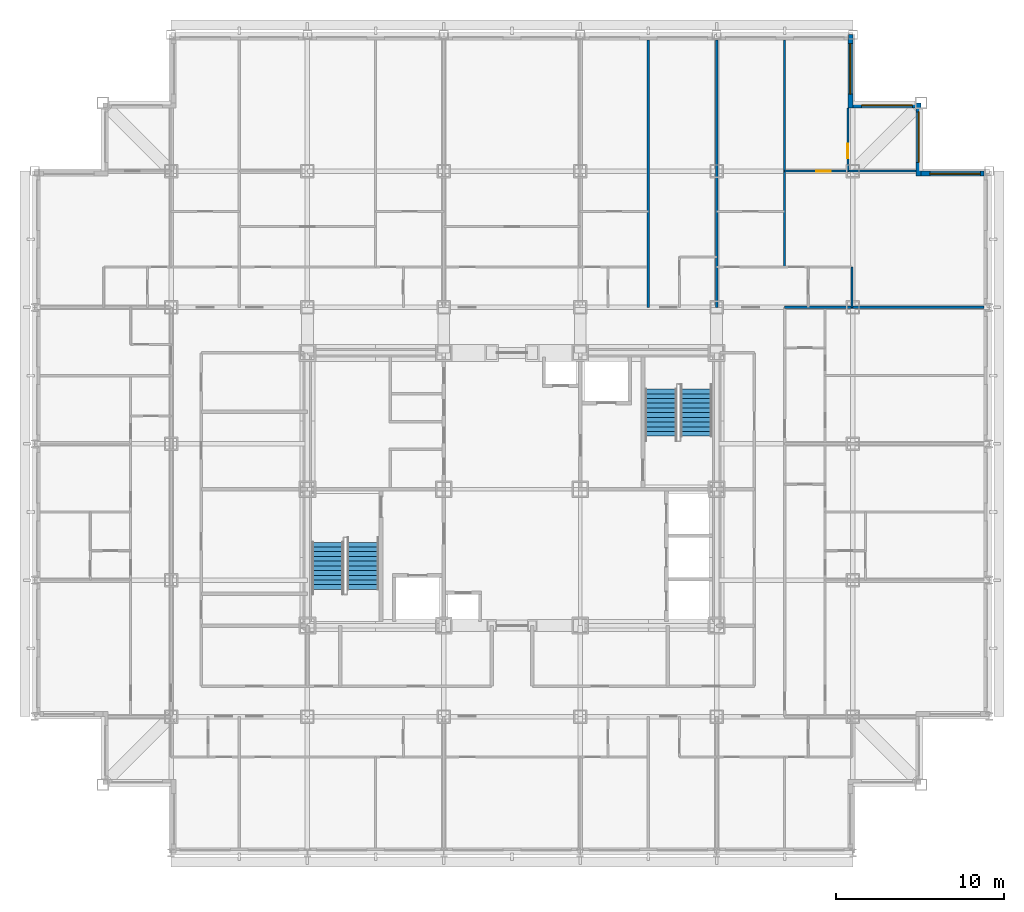
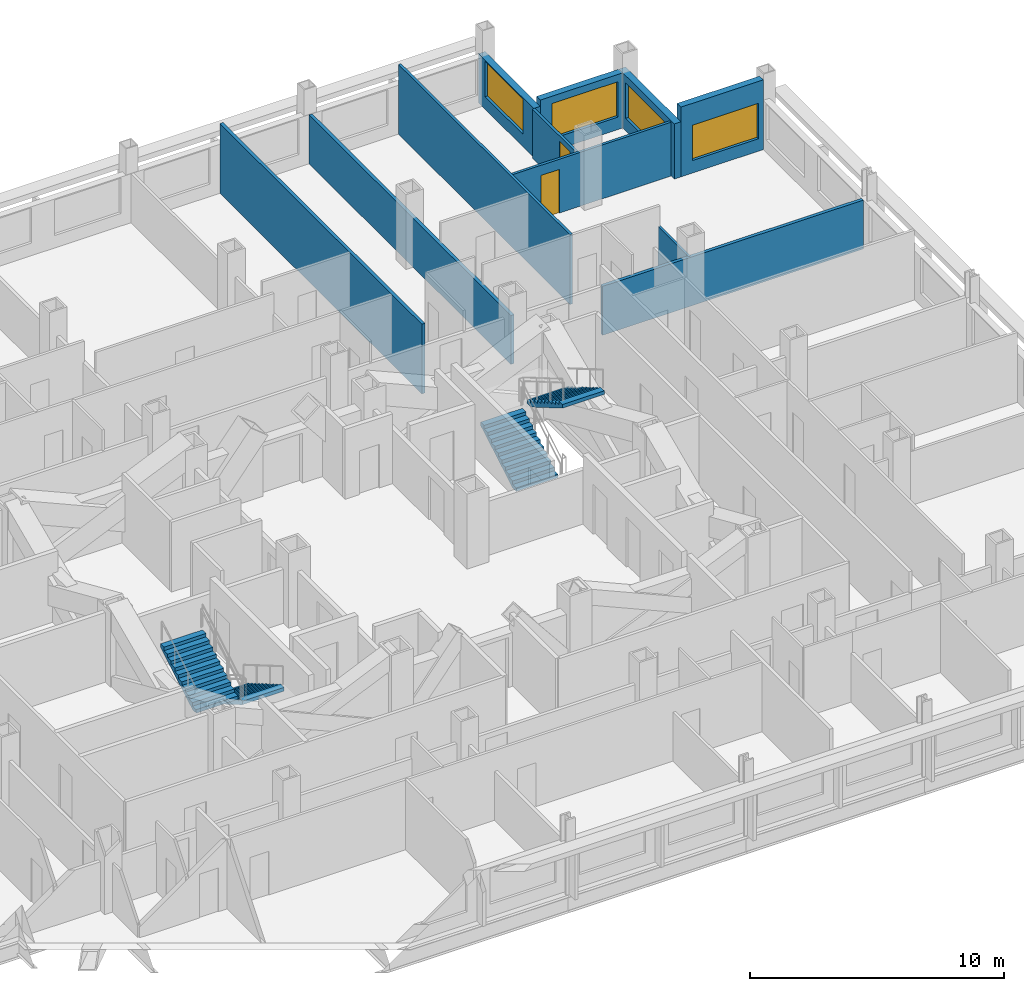
# One storey, part 11 of 12: 11 walls, 4 stair flights, 4 windows, 2 doors, 6 openings, 2 elements without a shape of their own.
"""IFC4 building model written with IfcOpenShell, lengths in metres."""

from ifc_helpers import new_model, si_unit, direction, frame, frame_2d, origin, place, context, subcontext, project, spatial, rectangle, extrude, polygons, source, transform, mapped, material, layer, layer_set, type_object, element, fill, aggregate, save


model = new_model("IFC4")

# Units and contexts
model_context = context("Model", 3, precision=1e-05, world=origin(), true_north=direction((0.0, 1.0)))
body_context = subcontext(model_context, "Body", "Model", "MODEL_VIEW")
ifc_project = project(units=[si_unit("LENGTHUNIT", "METRE"), si_unit("AREAUNIT", "SQUARE_METRE"), si_unit("VOLUMEUNIT", "CUBIC_METRE"), si_unit("PLANEANGLEUNIT", "RADIAN"), si_unit("MASSUNIT", "GRAM", prefix="KILO")], contexts=[model_context])

# Site, building, storey
site_placement = place(None, origin())
site = spatial("IfcSite", under=ifc_project, at=site_placement, CompositionType="ELEMENT")
building_placement = place(site_placement, origin())
building = spatial("IfcBuilding", under=site, at=building_placement, Name="Kopane Lantern Tower", CompositionType="ELEMENT")
storey_placement = place(building_placement, frame((0.0, 0.0, 231.60009765625)))
storey = spatial("IfcBuildingStorey", under=building, at=storey_placement, Name="L60", CompositionType="ELEMENT", Elevation=231.60009765625)

# Wall
ifc_material_1 = material(Name="Gypsum board on steel studs", Category="steel")
ifc_layer_1 = layer(ifc_material_1, 0.1201171875)
ifc_layer_set_1 = layer_set([ifc_layer_1], Name="APARTMENT INTERNAL WALL 120")
wall_type_1 = type_object("IfcWallType", Name="APARTMENT INTERNAL WALL 120", PredefinedType="PARTITIONING", material=ifc_layer_set_1)
wall_1_placement = place(storey_placement, frame((44.550048828125, 45.60009765625, 0.0), z_axis=(0.0, 0.0, 1.0), x_axis=(0.0, 1.0, 0.0)))
element("IfcWall", 1, at=wall_1_placement, inside=storey, type_object=wall_type_1, Name="Apartment Internal Wall 120 L60", PredefinedType="PARTITIONING", context=body_context, shape_type="SweptSolid", body=[
    extrude(rectangle(XDim=13.5, YDim=0.1201171875, at=frame_2d((6.75, 0.0))), origin(), (0.0, 0.0, 1.0), 3.349853515625),
])

# Wall, opening, door
wall_2_placement = place(storey_placement, frame((44.550048828125, 51.300048828125, 0.0), z_axis=(0.0, 0.0, 1.0), x_axis=(1.0, 0.0, 0.0)))
wall_2 = element("IfcWall", 2, at=wall_2_placement, inside=storey, type_object=wall_type_1, Name="Apartment Internal Wall 120 L60", PredefinedType="PARTITIONING", context=body_context, shape_type="SweptSolid", body=[
    extrude(rectangle(XDim=7.800048828125, YDim=0.1201171875, at=frame_2d((3.89990234375, 0.0))), origin(), (0.0, 0.0, 1.0), 2.587646484375),
])
opening_1_placement = place(wall_2_placement, frame((1.875, 0.0, 0.0)))
opening_1 = element("IfcOpeningElement", 3, at=opening_1_placement, cuts=wall_2, Name="Opening L60-062", PredefinedType="OPENING", context=body_context, shape_type="SweptSolid", body=[
    extrude(rectangle(XDim=0.85009765625, YDim=2.10009765625, at=frame_2d((0.425048828125, 1.050048828125))), frame((0.0, 0.070068359375, 0.0), z_axis=(0.0, -1.0, 0.0), x_axis=(1.0, 0.0, 0.0)), (0.0, 0.0, 1.0), 0.14013671875),
])
ifc_material_2 = material(Name="Timber door set", Category="wood")
door_type = type_object("IfcDoorType", Name="DOOR D4 850x2100", OperationType="SINGLE_SWING_LEFT", PredefinedType="DOOR", material=ifc_material_2)
door_1_placement = place(opening_1_placement, origin())
door_1 = element("IfcDoor", 4, at=door_1_placement, inside=storey, type_object=door_type, Name="Door L60-062", OperationType="SINGLE_SWING_RIGHT", OverallHeight=2.10009765625, OverallWidth=0.85009765625, PredefinedType="DOOR", context=body_context, shape_type="SweptSolid", body=[
    extrude(rectangle(XDim=0.85009765625, YDim=2.10009765625, at=frame_2d((0.425048828125, 1.050048828125))), frame((0.0, 0.02490234375, 0.0), z_axis=(0.0, -1.0, 0.0), x_axis=(1.0, 0.0, 0.0)), (0.0, 0.0, 1.0), 0.050048828125),
])
fill(opening_1, door_1)

wall_3_placement = place(storey_placement, frame((48.300048828125, 51.300048828125, 0.0), z_axis=(0.0, 0.0, 1.0), x_axis=(0.0, 1.0, 0.0)))
wall_3 = element("IfcWall", 5, at=wall_3_placement, inside=storey, type_object=wall_type_1, Name="Apartment Internal Wall 120 L60", PredefinedType="PARTITIONING", context=body_context, shape_type="SweptSolid", body=[
    extrude(rectangle(XDim=3.75, YDim=0.1201171875, at=frame_2d((1.875, 0.0))), origin(), (0.0, 0.0, 1.0), 2.349853515625),
])
opening_2_placement = place(wall_3_placement, frame((0.77490234375, 0.0, 0.0)))
opening_2 = element("IfcOpeningElement", 6, at=opening_2_placement, cuts=wall_3, Name="Opening L60-070", PredefinedType="OPENING", context=body_context, shape_type="SweptSolid", body=[
    extrude(rectangle(XDim=0.85009765625, YDim=2.10009765625, at=frame_2d((0.425048828125, 1.050048828125))), frame((0.0, 0.070068359375, 0.0), z_axis=(0.0, -1.0, 0.0), x_axis=(1.0, 0.0, 0.0)), (0.0, 0.0, 1.0), 0.14013671875),
])
door_2_placement = place(opening_2_placement, origin())
door_2 = element("IfcDoor", 7, at=door_2_placement, inside=storey, type_object=door_type, Name="Door L60-070", OperationType="SINGLE_SWING_RIGHT", OverallHeight=2.10009765625, OverallWidth=0.85009765625, PredefinedType="DOOR", context=body_context, shape_type="SweptSolid", body=[
    extrude(rectangle(XDim=0.85009765625, YDim=2.10009765625, at=frame_2d((0.425048828125, 1.050048828125))), frame((0.0, 0.02490234375, 0.0), z_axis=(0.0, -1.0, 0.0), x_axis=(1.0, 0.0, 0.0)), (0.0, 0.0, 1.0), 0.050048828125),
])
fill(opening_2, door_2)

# Walls
ifc_material_3 = material(Name="Moisture-resistant board on steel studs", Category="steel")
ifc_layer_2 = layer(ifc_material_3, 0.10009765625)
ifc_layer_set_2 = layer_set([ifc_layer_2], Name="BATHROOM WALL 100")
wall_type_2 = type_object("IfcWallType", Name="BATHROOM WALL 100", PredefinedType="PARTITIONING", material=ifc_layer_set_2)
wall_4_placement = place(storey_placement, frame((48.550048828125, 43.199951171875, 0.0), z_axis=(0.0, 0.0, 1.0), x_axis=(0.0, 1.0, 0.0)))
element("IfcWall", 8, at=wall_4_placement, inside=storey, type_object=wall_type_2, Name="Bathroom Wall 100 L60", PredefinedType="PARTITIONING", context=body_context, shape_type="SweptSolid", body=[
    extrude(rectangle(XDim=2.400146484375, YDim=0.10009765625, at=frame_2d((1.2001953125, 0.0))), origin(), (0.0, 0.0, 1.0), 2.349853515625),
])
ifc_material_4 = material(Name="Gypsum board on steel studs", Category="steel")
ifc_layer_3 = layer(ifc_material_4, 0.14990234375)
ifc_layer_set_3 = layer_set([ifc_layer_3], Name="DEMISING WALL 150 EI 60")
wall_type_3 = type_object("IfcWallType", Name="DEMISING WALL 150 EI 60", PredefinedType="PARTITIONING", material=ifc_layer_set_3)
wall_5_placement = place(storey_placement, frame((36.449951171875, 43.199951171875, 0.0), z_axis=(0.0, 0.0, 1.0), x_axis=(0.0, 1.0, 0.0)))
element("IfcWall", 9, at=wall_5_placement, inside=storey, type_object=wall_type_3, Name="Demising Wall 150 Ei 60 L60", PredefinedType="PARTITIONING", context=body_context, shape_type="SweptSolid", body=[
    extrude(rectangle(XDim=15.900146484375, YDim=0.14990234375, at=frame_2d((7.9501953125, 0.0))), origin(), (0.0, 0.0, 1.0), 3.349853515625),
])
wall_6_placement = place(storey_placement, frame((44.550048828125, 43.199951171875, 0.0), z_axis=(0.0, 0.0, 1.0), x_axis=(1.0, 0.0, 0.0)))
element("IfcWall", 10, at=wall_6_placement, inside=storey, type_object=wall_type_3, Name="Demising Wall 150 Ei 60 L60", PredefinedType="PARTITIONING", context=body_context, shape_type="SweptSolid", body=[
    extrude(rectangle(XDim=11.849853515625, YDim=0.14990234375, at=frame_2d((5.9248046875, 0.0))), origin(), (0.0, 0.0, 1.0), 2.349853515625),
])
wall_7_placement = place(storey_placement, frame((40.5, 43.199951171875, 0.0), z_axis=(0.0, 0.0, 1.0), x_axis=(0.0, 1.0, 0.0)))
element("IfcWall", 11, at=wall_7_placement, inside=storey, type_object=wall_type_3, Name="Demising Wall 150 Ei 60 L60", PredefinedType="PARTITIONING", context=body_context, shape_type="SweptSolid", body=[
    extrude(rectangle(XDim=15.900146484375, YDim=0.14990234375, at=frame_2d((7.9501953125, 0.0))), origin(), (0.0, 0.0, 1.0), 2.349853515625),
])

# Wall, opening, window
ifc_material_5 = material(Name="Terracotta rainscreen on light steel framing", Category="masonry")
ifc_layer_4 = layer(ifc_material_5, 0.300048828125)
ifc_layer_set_4 = layer_set([ifc_layer_4], Name="EXTERNAL WALL EW1 300 TERRACOTTA")
wall_type_4 = type_object("IfcWallType", Name="EXTERNAL WALL EW1 300 TERRACOTTA", PredefinedType="SOLIDWALL", material=ifc_layer_set_4)
wall_8_placement = place(storey_placement, frame((56.39990234375, 51.14990234375, 0.0), z_axis=(0.0, 0.0, 1.0), x_axis=(-1.0, 0.0, 0.0)))
wall_8 = element("IfcWall", 12, at=wall_8_placement, inside=storey, type_object=wall_type_4, Name="External wall N L60", PredefinedType="SOLIDWALL", context=body_context, shape_type="SweptSolid", body=[
    extrude(rectangle(XDim=3.75, YDim=0.300048828125, at=frame_2d((1.875, 0.0))), origin(), (0.0, 0.0, 1.0), 3.349853515625),
])
opening_3_placement = place(wall_8_placement, frame((0.22509765625, 0.0, 0.60009765625)))
opening_3 = element("IfcOpeningElement", 13, at=opening_3_placement, cuts=wall_8, Name="Opening WR300170", PredefinedType="OPENING", context=body_context, shape_type="SweptSolid", body=[
    extrude(rectangle(XDim=3.0, YDim=1.699951171875, at=frame_2d((1.5, 0.85009765625))), frame((0.0, 0.159912109375, 0.0), z_axis=(0.0, -1.0, 0.0), x_axis=(1.0, 0.0, 0.0)), (0.0, 0.0, 1.0), 0.320068359375),
])
ifc_material_6 = material(Name="Aluminium and clear glass", Category="aluminium")
window_type = type_object("IfcWindowType", Name="RIBBON WINDOW WR300170 3000x1700", PartitioningType="SINGLE_PANEL", PredefinedType="WINDOW", material=ifc_material_6)
window_1_placement = place(opening_3_placement, origin())
window_1 = element("IfcWindow", 14, at=window_1_placement, inside=storey, type_object=window_type, Name="Window N L60", OverallHeight=1.699951171875, OverallWidth=3.0, PartitioningType="SINGLE_PANEL", PredefinedType="WINDOW", context=body_context, shape_type="SweptSolid", body=[
    extrude(rectangle(XDim=3.0, YDim=1.699951171875, at=frame_2d((1.5, 0.85009765625))), frame((0.0, 0.030029296875, 0.0), z_axis=(0.0, -1.0, 0.0), x_axis=(1.0, 0.0, 0.0)), (0.0, 0.0, 1.0), 0.06005859375),
])
fill(opening_3, window_1)

wall_9_placement = place(storey_placement, frame((52.5, 51.0, 0.0), z_axis=(0.0, 0.0, 1.0), x_axis=(0.0, 1.0, 0.0)))
wall_9 = element("IfcWall", 15, at=wall_9_placement, inside=storey, type_object=wall_type_4, Name="External wall E L60", PredefinedType="SOLIDWALL", context=body_context, shape_type="SweptSolid", body=[
    extrude(rectangle(XDim=4.35009765625, YDim=0.300048828125, at=frame_2d((2.175048828125, 0.0))), origin(), (0.0, 0.0, 1.0), 2.64990234375),
])
opening_4_placement = place(wall_9_placement, frame((0.824951171875, 0.0, 0.60009765625)))
opening_4 = element("IfcOpeningElement", 16, at=opening_4_placement, cuts=wall_9, Name="Opening WR300170", PredefinedType="OPENING", context=body_context, shape_type="SweptSolid", body=[
    extrude(rectangle(XDim=3.0, YDim=1.699951171875, at=frame_2d((1.5, 0.85009765625))), frame((0.0, 0.159912109375, 0.0), z_axis=(0.0, -1.0, 0.0), x_axis=(1.0, 0.0, 0.0)), (0.0, 0.0, 1.0), 0.320068359375),
])
window_2_placement = place(opening_4_placement, origin())
window_2 = element("IfcWindow", 17, at=window_2_placement, inside=storey, type_object=window_type, Name="Window E L60", OverallHeight=1.699951171875, OverallWidth=3.0, PartitioningType="SINGLE_PANEL", PredefinedType="WINDOW", context=body_context, shape_type="SweptSolid", body=[
    extrude(rectangle(XDim=3.0, YDim=1.699951171875, at=frame_2d((1.5, 0.85009765625))), frame((0.0, 0.030029296875, 0.0), z_axis=(0.0, -1.0, 0.0), x_axis=(1.0, 0.0, 0.0)), (0.0, 0.0, 1.0), 0.06005859375),
])
fill(opening_4, window_2)

wall_10_placement = place(storey_placement, frame((52.35009765625, 55.199951171875, 0.0), z_axis=(0.0, 0.0, 1.0), x_axis=(-1.0, 0.0, 0.0)))
wall_10 = element("IfcWall", 18, at=wall_10_placement, inside=storey, type_object=wall_type_4, Name="External wall N L60", PredefinedType="SOLIDWALL", context=body_context, shape_type="SweptSolid", body=[
    extrude(rectangle(XDim=3.75, YDim=0.300048828125, at=frame_2d((1.875, 0.0))), origin(), (0.0, 0.0, 1.0), 2.64990234375),
])
opening_5_placement = place(wall_10_placement, frame((0.22509765625, 0.0, 0.60009765625)))
opening_5 = element("IfcOpeningElement", 19, at=opening_5_placement, cuts=wall_10, Name="Opening WR300170", PredefinedType="OPENING", context=body_context, shape_type="SweptSolid", body=[
    extrude(rectangle(XDim=3.0, YDim=1.699951171875, at=frame_2d((1.5, 0.85009765625))), frame((0.0, 0.159912109375, 0.0), z_axis=(0.0, -1.0, 0.0), x_axis=(1.0, 0.0, 0.0)), (0.0, 0.0, 1.0), 0.320068359375),
])
window_3_placement = place(opening_5_placement, origin())
window_3 = element("IfcWindow", 20, at=window_3_placement, inside=storey, type_object=window_type, Name="Window N L60", OverallHeight=1.699951171875, OverallWidth=3.0, PartitioningType="SINGLE_PANEL", PredefinedType="WINDOW", context=body_context, shape_type="SweptSolid", body=[
    extrude(rectangle(XDim=3.0, YDim=1.699951171875, at=frame_2d((1.5, 0.85009765625))), frame((0.0, 0.030029296875, 0.0), z_axis=(0.0, -1.0, 0.0), x_axis=(1.0, 0.0, 0.0)), (0.0, 0.0, 1.0), 0.06005859375),
])
fill(opening_5, window_3)

wall_11_placement = place(storey_placement, frame((48.449951171875, 55.050048828125, 0.0), z_axis=(0.0, 0.0, 1.0), x_axis=(0.0, 1.0, 0.0)))
wall_11 = element("IfcWall", 21, at=wall_11_placement, inside=storey, type_object=wall_type_4, Name="External wall E L60", PredefinedType="SOLIDWALL", context=body_context, shape_type="SweptSolid", body=[
    extrude(rectangle(XDim=4.349853515625, YDim=0.300048828125, at=frame_2d((2.1748046875, 0.0))), origin(), (0.0, 0.0, 1.0), 2.349853515625),
])
opening_6_placement = place(wall_11_placement, frame((0.824951171875, 0.0, 0.60009765625)))
opening_6 = element("IfcOpeningElement", 22, at=opening_6_placement, cuts=wall_11, Name="Opening WR300170", PredefinedType="OPENING", context=body_context, shape_type="SweptSolid", body=[
    extrude(rectangle(XDim=3.0, YDim=1.699951171875, at=frame_2d((1.5, 0.85009765625))), frame((0.0, 0.159912109375, 0.0), z_axis=(0.0, -1.0, 0.0), x_axis=(1.0, 0.0, 0.0)), (0.0, 0.0, 1.0), 0.320068359375),
])
window_4_placement = place(opening_6_placement, origin())
window_4 = element("IfcWindow", 23, at=window_4_placement, inside=storey, type_object=window_type, Name="Window E L60", OverallHeight=1.699951171875, OverallWidth=3.0, PartitioningType="SINGLE_PANEL", PredefinedType="WINDOW", context=body_context, shape_type="SweptSolid", body=[
    extrude(rectangle(XDim=3.0, YDim=1.699951171875, at=frame_2d((1.5, 0.85009765625))), frame((0.0, 0.030029296875, 0.0), z_axis=(0.0, -1.0, 0.0), x_axis=(1.0, 0.0, 0.0)), (0.0, 0.0, 1.0), 0.06005859375),
])
fill(opening_6, window_4)

# Stair, stair flights
ifc_material_7 = material(Name="Steel S355JR", Category="steel")
stair_type = type_object("IfcStairType", Name="EXIT STAIR 1900 HALF TURN", PredefinedType="HALF_TURN_STAIR", material=ifc_material_7)
stair_1_placement = place(storey_placement, origin())
stair_1 = element("IfcStair", 24, at=stair_1_placement, inside=storey, type_object=stair_type, Name="Exit stair ST1 L60", PredefinedType="HALF_TURN_STAIR")
ifc_material_8 = material(Name="Steel S355JR", Category="steel")
stair_flight_type = type_object("IfcStairFlightType", Name="STAIR FLIGHT 1900 STEEL", PredefinedType="STRAIGHT", material=ifc_material_8)
shared_shape = source(origin(), body_context, "Body", "Tessellation", [
    polygons([(2.800048828, 0.949951172, 1.636474609), (2.520019531, 0.949951172, 1.636474609), (2.520019531, -0.949951172, 1.636474609), (2.800048828, -0.949951172, 1.636474609), (0.297119141, 0.949951172, 0.0), (2.800048828, 0.949951172, 1.462646484), (2.800048828, -0.949951172, 1.462646484), (0.297119141, -0.949951172, 0.0), (0.0, 0.949951172, 0.0), (0.0, -0.949951172, 0.0), (0.280029297, 0.949951172, 0.163574219), (0.0, 0.949951172, 0.163574219), (0.0, -0.949951172, 0.163574219), (0.280029297, -0.949951172, 0.163574219), (0.280029297, 0.949951172, 0.327392578), (0.280029297, -0.949951172, 0.327392578), (0.560058594, 0.949951172, 0.327392578), (0.560058594, -0.949951172, 0.327392578), (0.560058594, 0.949951172, 0.490966797), (0.560058594, -0.949951172, 0.490966797), (0.840087891, 0.949951172, 0.490966797), (0.840087891, -0.949951172, 0.490966797), (0.840087891, 0.949951172, 0.654541016), (0.840087891, -0.949951172, 0.654541016), (1.120117188, 0.949951172, 0.654541016), (1.120117188, -0.949951172, 0.654541016), (1.120117188, 0.949951172, 0.818115234), (1.120117188, -0.949951172, 0.818115234), (1.399902344, 0.949951172, 0.818115234), (1.399902344, -0.949951172, 0.818115234), (1.399902344, 0.949951172, 0.981933594), (1.399902344, -0.949951172, 0.981933594), (1.679931641, 0.949951172, 0.981933594), (1.679931641, -0.949951172, 0.981933594), (1.679931641, 0.949951172, 1.145507812), (1.679931641, -0.949951172, 1.145507812), (1.959960938, 0.949951172, 1.145507812), (1.959960938, -0.949951172, 1.145507812), (1.959960938, 0.949951172, 1.309082031), (1.959960938, -0.949951172, 1.309082031), (2.239990234, 0.949951172, 1.309082031), (2.239990234, -0.949951172, 1.309082031), (2.239990234, 0.949951172, 1.47265625), (2.239990234, -0.949951172, 1.47265625), (2.520019531, 0.949951172, 1.47265625), (2.520019531, -0.949951172, 1.47265625), (0.0, 0.0, 0.004420925), (0.0, 0.0, 0.00884185), (0.0, 0.0, 0.013262774), (0.0, 0.0, 0.017683699), (0.0, 0.0, 0.022104624), (0.0, 0.0, 0.026525549), (0.0, 0.0, 0.030946474), (0.0, 0.0, 0.035367399), (0.0, 0.0, 0.039788323), (0.0, 0.0, 0.044209248), (0.0, 0.0, 0.048630173), (0.0, 0.0, 0.053051098), (0.0, 0.0, 0.057472023), (0.0, 0.0, 0.061892948), (0.0, 0.0, 0.066313872), (0.0, 0.0, 0.070734797), (0.0, 0.0, 0.075155722), (0.0, 0.0, 0.079576647), (0.0, 0.0, 0.083997572), (0.0, 0.0, 0.088418497), (0.0, 0.0, 0.092839421), (0.0, 0.0, 0.097260346), (0.0, 0.0, 0.101681271), (0.0, 0.0, 0.106102196), (0.0, 0.0, 0.110523121), (0.0, 0.0, 0.114944046), (0.0, 0.0, 0.11936497), (0.0, 0.0, 0.123785895), (0.0, 0.0, 0.12820682), (0.0, 0.0, 0.132627745), (0.0, 0.0, 0.13704867), (0.0, 0.0, 0.141469595), (0.0, 0.0, 0.145890519), (0.0, 0.0, 0.150311444), (0.0, 0.0, 0.154732369), (0.0, 0.0, 0.159153294), (2.800048828, 0.0, 1.467344542), (2.800048828, 0.0, 1.472042599), (2.800048828, 0.0, 1.476740657), (2.800048828, 0.0, 1.481438714), (2.800048828, 0.0, 1.486136772), (2.800048828, 0.0, 1.490834829), (2.800048828, 0.0, 1.495532886), (2.800048828, 0.0, 1.500230944), (2.800048828, 0.0, 1.504929001), (2.800048828, 0.0, 1.509627059), (2.800048828, 0.0, 1.514325116), (2.800048828, 0.0, 1.519023174), (2.800048828, 0.0, 1.523721231), (2.800048828, 0.0, 1.528419288), (2.800048828, 0.0, 1.533117346), (2.800048828, 0.0, 1.537815403), (2.800048828, 0.0, 1.542513461), (2.800048828, 0.0, 1.547211518), (2.800048828, 0.0, 1.551909576), (2.800048828, 0.0, 1.556607633), (2.800048828, 0.0, 1.56130569), (2.800048828, 0.0, 1.566003748), (2.800048828, 0.0, 1.570701805), (2.800048828, 0.0, 1.575399863), (2.800048828, 0.0, 1.58009792), (2.800048828, 0.0, 1.584795978), (2.800048828, 0.0, 1.589494035), (2.800048828, 0.0, 1.594192092), (2.800048828, 0.0, 1.59889015), (2.800048828, 0.0, 1.603588207), (2.800048828, 0.0, 1.608286265), (2.800048828, 0.0, 1.612984322), (2.800048828, 0.0, 1.61768238), (2.800048828, 0.0, 1.622380437), (2.800048828, 0.0, 1.627078495), (2.800048828, 0.0, 1.631776552)], [[[1, 2, 3]], [[1, 3, 4]], [[5, 6, 7]], [[5, 7, 8]], [[9, 5, 8]], [[9, 8, 10]], [[11, 12, 13]], [[11, 13, 14]], [[15, 11, 14]], [[15, 14, 16]], [[17, 15, 16]], [[17, 16, 18]], [[19, 17, 18]], [[19, 18, 20]], [[21, 19, 20]], [[21, 20, 22]], [[23, 21, 22]], [[23, 22, 24]], [[25, 23, 24]], [[25, 24, 26]], [[27, 25, 26]], [[27, 26, 28]], [[29, 27, 28]], [[29, 28, 30]], [[31, 29, 30]], [[31, 30, 32]], [[33, 31, 32]], [[33, 32, 34]], [[35, 33, 34]], [[35, 34, 36]], [[37, 35, 36]], [[37, 36, 38]], [[39, 37, 38]], [[39, 38, 40]], [[41, 39, 40]], [[41, 40, 42]], [[43, 41, 42]], [[43, 42, 44]], [[45, 43, 44]], [[45, 44, 46]], [[2, 45, 46]], [[2, 46, 3]], [[45, 1, 6]], [[41, 45, 6]], [[2, 1, 45]], [[37, 41, 6]], [[43, 45, 41]], [[39, 41, 37]], [[35, 37, 33]], [[31, 33, 29]], [[27, 29, 25]], [[5, 21, 25]], [[17, 21, 5]], [[23, 25, 21]], [[11, 17, 5]], [[19, 21, 17]], [[9, 11, 5]], [[15, 17, 11]], [[12, 11, 9]], [[6, 5, 25]], [[6, 25, 29]], [[6, 29, 33]], [[6, 33, 37]], [[7, 4, 46]], [[7, 46, 42]], [[46, 4, 3]], [[7, 42, 38]], [[42, 46, 44]], [[38, 42, 40]], [[34, 38, 36]], [[30, 34, 32]], [[26, 30, 28]], [[26, 22, 8]], [[8, 22, 18]], [[22, 26, 24]], [[8, 18, 14]], [[18, 22, 20]], [[8, 14, 10]], [[14, 18, 16]], [[10, 14, 13]], [[26, 8, 7]], [[30, 26, 7]], [[34, 30, 7]], [[38, 34, 7]], [[10, 47, 9]], [[10, 48, 47]], [[9, 47, 48]], [[10, 49, 48]], [[9, 48, 49]], [[10, 50, 49]], [[9, 49, 50]], [[10, 51, 50]], [[9, 50, 51]], [[10, 52, 51]], [[9, 51, 52]], [[10, 53, 52]], [[9, 52, 53]], [[10, 54, 53]], [[9, 53, 54]], [[10, 55, 54]], [[9, 54, 55]], [[10, 56, 55]], [[9, 55, 56]], [[10, 57, 56]], [[9, 56, 57]], [[10, 58, 57]], [[9, 57, 58]], [[10, 59, 58]], [[9, 58, 59]], [[10, 60, 59]], [[9, 59, 60]], [[10, 61, 60]], [[9, 60, 61]], [[10, 62, 61]], [[9, 61, 62]], [[10, 63, 62]], [[9, 62, 63]], [[10, 64, 63]], [[9, 63, 64]], [[10, 65, 64]], [[9, 64, 65]], [[10, 66, 65]], [[9, 65, 66]], [[10, 67, 66]], [[9, 66, 67]], [[10, 68, 67]], [[9, 67, 68]], [[10, 69, 68]], [[9, 68, 69]], [[10, 70, 69]], [[9, 69, 70]], [[10, 71, 70]], [[9, 70, 71]], [[10, 72, 71]], [[9, 71, 72]], [[10, 73, 72]], [[9, 72, 73]], [[10, 74, 73]], [[9, 73, 74]], [[10, 75, 74]], [[9, 74, 75]], [[10, 76, 75]], [[9, 75, 76]], [[10, 77, 76]], [[9, 76, 77]], [[10, 78, 77]], [[9, 77, 78]], [[10, 79, 78]], [[9, 78, 79]], [[10, 80, 79]], [[9, 79, 80]], [[10, 81, 80]], [[9, 80, 81]], [[10, 82, 81]], [[9, 81, 82]], [[10, 13, 82]], [[82, 13, 12]], [[9, 82, 12]], [[7, 6, 83]], [[7, 83, 84]], [[6, 84, 83]], [[7, 84, 85]], [[6, 85, 84]], [[7, 85, 86]], [[6, 86, 85]], [[7, 86, 87]], [[6, 87, 86]], [[7, 87, 88]], [[6, 88, 87]], [[7, 88, 89]], [[6, 89, 88]], [[7, 89, 90]], [[6, 90, 89]], [[7, 90, 91]], [[6, 91, 90]], [[7, 91, 92]], [[6, 92, 91]], [[7, 92, 93]], [[6, 93, 92]], [[7, 93, 94]], [[6, 94, 93]], [[7, 94, 95]], [[6, 95, 94]], [[7, 95, 96]], [[6, 96, 95]], [[7, 96, 97]], [[6, 97, 96]], [[7, 97, 98]], [[6, 98, 97]], [[7, 98, 99]], [[6, 99, 98]], [[7, 99, 100]], [[6, 100, 99]], [[7, 100, 101]], [[6, 101, 100]], [[7, 101, 102]], [[6, 102, 101]], [[7, 102, 103]], [[6, 103, 102]], [[7, 103, 104]], [[6, 104, 103]], [[7, 104, 105]], [[6, 105, 104]], [[7, 105, 106]], [[6, 106, 105]], [[7, 106, 107]], [[6, 107, 106]], [[7, 107, 108]], [[6, 108, 107]], [[7, 108, 109]], [[6, 109, 108]], [[7, 109, 110]], [[6, 110, 109]], [[7, 110, 111]], [[6, 111, 110]], [[7, 111, 112]], [[6, 112, 111]], [[7, 112, 113]], [[6, 113, 112]], [[7, 113, 114]], [[6, 114, 113]], [[7, 114, 115]], [[6, 115, 114]], [[7, 115, 116]], [[6, 116, 115]], [[7, 116, 117]], [[6, 117, 116]], [[7, 117, 118]], [[6, 118, 117]], [[7, 118, 4]], [[118, 1, 4]], [[6, 1, 118]]], closed=True),
])
stair_flight_1_placement = place(storey_placement, frame((19.5, 29.25, 0.0), z_axis=(0.0, 0.0, 1.0), x_axis=(0.0, -1.0, 0.0)))
stair_flight_1 = element("IfcStairFlight", 25, at=stair_flight_1_placement, type_object=stair_flight_type, Name="ST1 flight 1", NumberOfRisers=11, NumberOfTreads=10, PredefinedType="STRAIGHT", RiserHeight=0.163636364, TreadLength=0.28, context=body_context, shape_type="MappedRepresentation", body=[
    mapped(shared_shape, transform((0.0, 0.0, 0.0))),
])
stair_flight_2_placement = place(storey_placement, frame((17.39990234375, 26.449951171875, 1.7998046875), z_axis=(0.0, 0.0, 1.0), x_axis=(0.0, 1.0, 0.0)))
stair_flight_2 = element("IfcStairFlight", 26, at=stair_flight_2_placement, type_object=stair_flight_type, Name="ST1 flight 2", NumberOfRisers=11, NumberOfTreads=10, PredefinedType="STRAIGHT", RiserHeight=0.163636364, TreadLength=0.28, context=body_context, shape_type="MappedRepresentation", body=[
    mapped(shared_shape, transform((0.0, 0.0, 0.0))),
])
aggregate(stair_1, [stair_flight_1, stair_flight_2])

stair_2_placement = place(storey_placement, origin())
stair_2 = element("IfcStair", 27, at=stair_2_placement, inside=storey, type_object=stair_type, Name="Exit stair ST2 L60", PredefinedType="HALF_TURN_STAIR")
stair_flight_3_placement = place(storey_placement, frame((37.199951171875, 35.550048828125, 0.0), z_axis=(0.0, 0.0, 1.0), x_axis=(0.0, 1.0, 0.0)))
stair_flight_3 = element("IfcStairFlight", 28, at=stair_flight_3_placement, type_object=stair_flight_type, Name="ST2 flight 1", NumberOfRisers=11, NumberOfTreads=10, PredefinedType="STRAIGHT", RiserHeight=0.163636364, TreadLength=0.28, context=body_context, shape_type="MappedRepresentation", body=[
    mapped(shared_shape, transform((0.0, 0.0, 0.0))),
])
stair_flight_4_placement = place(storey_placement, frame((39.300048828125, 38.35009765625, 1.7998046875), z_axis=(0.0, 0.0, 1.0), x_axis=(0.0, -1.0, 0.0)))
stair_flight_4 = element("IfcStairFlight", 29, at=stair_flight_4_placement, type_object=stair_flight_type, Name="ST2 flight 2", NumberOfRisers=11, NumberOfTreads=10, PredefinedType="STRAIGHT", RiserHeight=0.163636364, TreadLength=0.28, context=body_context, shape_type="MappedRepresentation", body=[
    mapped(shared_shape, transform((0.0, 0.0, 0.0))),
])
aggregate(stair_2, [stair_flight_3, stair_flight_4])

save(model, "model.ifc")
